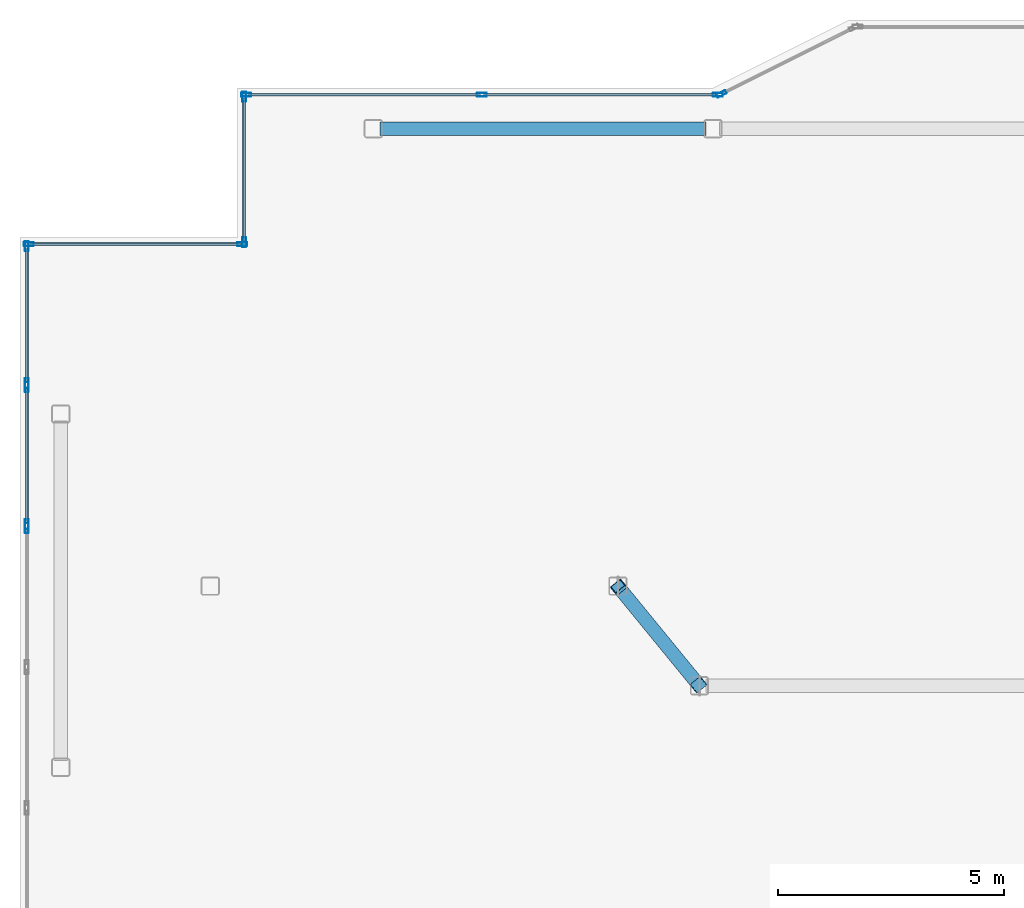
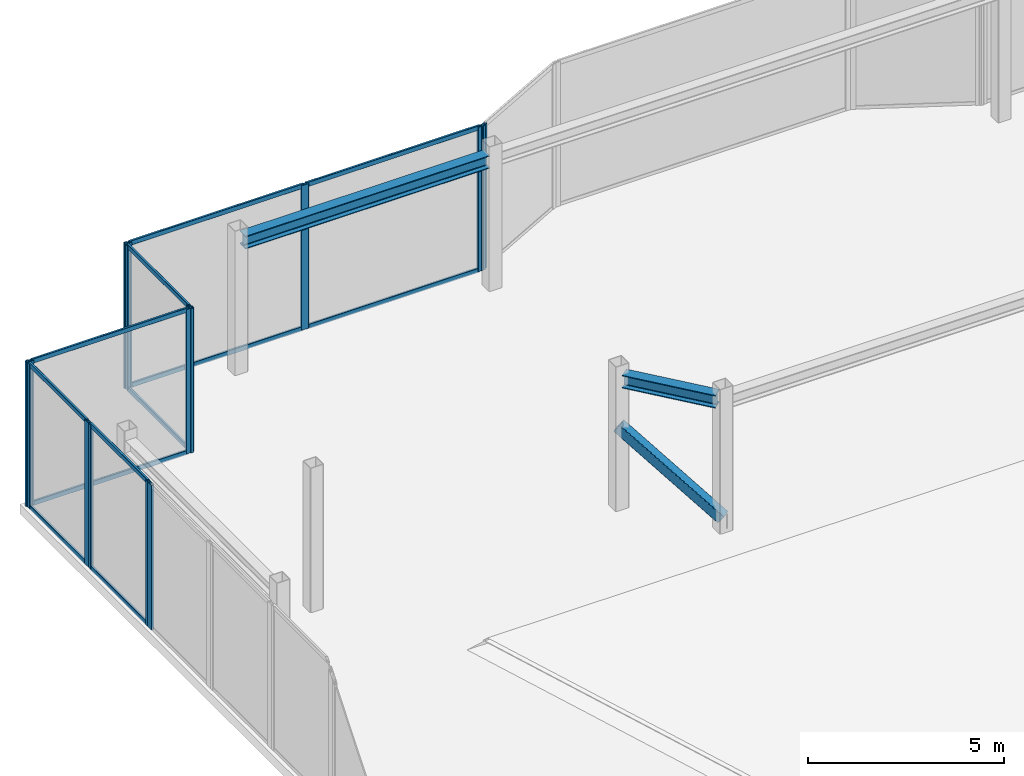
# One storey, part 4 of 12: 26 members, 2 beams, 7 elements without a shape of their own.
"""IFC4 building model written with IfcOpenShell, lengths in metres."""

from ifc_helpers import new_model, si_unit, direction, frame, origin, origin_2d, place, context, subcontext, project, spatial, hollow_rectangle, i_section, extrude, material, layer, layer_set, material_profile, profile_set, type_object, element, aggregate, save


model = new_model("IFC4")

# Units and contexts
model_context = context("Model", 3, precision=1e-05, world=origin(), true_north=direction((0.0, 1.0)))
body_context = subcontext(model_context, "Body", "Model", "MODEL_VIEW")
ifc_project = project(units=[si_unit("LENGTHUNIT", "METRE"), si_unit("AREAUNIT", "SQUARE_METRE"), si_unit("VOLUMEUNIT", "CUBIC_METRE"), si_unit("PLANEANGLEUNIT", "RADIAN"), si_unit("MASSUNIT", "GRAM", prefix="KILO")], contexts=[model_context])

# Site, building, storey
site_placement = place(None, origin())
site = spatial("IfcSite", under=ifc_project, at=site_placement, CompositionType="ELEMENT")
building_placement = place(site_placement, origin())
building = spatial("IfcBuilding", under=site, at=building_placement, Name="Tarnavaz Court Tower", CompositionType="ELEMENT")
storey_placement = place(building_placement, frame((0.0, 0.0, 299.550048828125)))
storey = spatial("IfcBuildingStorey", under=building, at=storey_placement, Name="C05", CompositionType="ELEMENT", Elevation=299.550048828125)

# Beams
ifc_material_1 = material(Name="Steel S355", Category="steel")
ifc_material_profile_1 = material_profile(ifc_material_1, i_section(OverallWidth=0.300048828125, OverallDepth=0.39990234375, WebThickness=0.013427734375, FlangeThickness=0.02392578125, FilletRadius=0.027099609375, at=origin_2d()), Name="HEB 400")
ifc_profile_set_1 = profile_set([ifc_material_profile_1], Name="Steel S355")
beam_type = type_object("IfcBeamType", Name="BM-G-HEB400", PredefinedType="USERDEFINED", material=ifc_profile_set_1)
beam_1_placement = place(storey_placement, frame((-9.5048828125, 9.8837890625, 4.0), z_axis=(0.633206414362, -0.773982969329, 0.0), x_axis=(0.773982969329, 0.633206414362, 0.0)))
element("IfcBeam", 1, at=beam_1_placement, inside=storey, type_object=beam_type, Name="C05 Beam CRG-CW-NI-IW-NW", ObjectType="GIRDER", PredefinedType="USERDEFINED", context=body_context, shape_type="SweptSolid", body=[
    extrude(i_section(OverallWidth=0.300048828125, OverallDepth=0.39990234375, WebThickness=0.013427734375, FlangeThickness=0.02392578125, FilletRadius=0.027099609375, at=origin_2d()), origin(), (0.0, 0.0, 1.0), 2.54248046875),
])
beam_2_placement = place(storey_placement, frame((-14.85009765625, 20.10009765625, 4.0), z_axis=(1.0, 0.0, 0.0), x_axis=(0.0, 1.0, 0.0)))
element("IfcBeam", 2, at=beam_2_placement, inside=storey, type_object=beam_type, Name="C05 Beam CRG-PN-1-PN-2", ObjectType="GIRDER", PredefinedType="USERDEFINED", context=body_context, shape_type="SweptSolid", body=[
    extrude(i_section(OverallWidth=0.300048828125, OverallDepth=0.39990234375, WebThickness=0.013427734375, FlangeThickness=0.02392578125, FilletRadius=0.027099609375, at=origin_2d()), origin(), (0.0, 0.0, 1.0), 7.2001953125),
])

# Curtain wall, members
ifc_material_2 = material(Name="Anodised Aluminium 6063-T6 and Solar Low-E Glazing", Category="aluminium")
ifc_layer = layer(ifc_material_2, 0.2099609375)
ifc_layer_set = layer_set([ifc_layer], Name="Anodised Aluminium 6063-T6 and Solar Low-E Glazing")
curtain_wall_type = type_object("IfcCurtainWallType", Name="CW-SYS-06", PredefinedType="NOTDEFINED", material=ifc_layer_set)
curtain_wall_1_placement = place(storey_placement, origin())
curtain_wall_1 = element("IfcCurtainWall", 3, at=curtain_wall_1_placement, inside=storey, type_object=curtain_wall_type, Name="C05 Slanted Crown Terracotta Curtain Wall 1", PredefinedType="NOTDEFINED")
ifc_material_3 = material(Name="Anodised Aluminium 6063-T6", Category="aluminium")
ifc_material_profile_2 = material_profile(ifc_material_3, hollow_rectangle(XDim=0.0849609375, YDim=0.219970703125, WallThickness=0.006103515625, InnerFilletRadius=0.006103515625, OuterFilletRadius=0.011962890625, at=origin_2d()), Name="ALU RHS 220X85X6")
ifc_profile_set_2 = profile_set([ifc_material_profile_2], Name="Anodised Aluminium 6063-T6")
member_type_1 = type_object("IfcMemberType", Name="CW-MUL-220", PredefinedType="MULLION", material=ifc_profile_set_2)
member_1_placement = place(storey_placement, frame((-22.607421875, 17.550048828125, 0.0), z_axis=(0.0, 0.0, 1.0), x_axis=(0.0, 1.0, 0.0)))
member_1 = element("IfcMember", 4, at=member_1_placement, type_object=member_type_1, Name="CW mullion 1", PredefinedType="MULLION", context=body_context, shape_type="SweptSolid", body=[
    extrude(hollow_rectangle(XDim=0.0849609375, YDim=0.219970703125, WallThickness=0.006103515625, InnerFilletRadius=0.006103515625, OuterFilletRadius=0.011962890625, at=origin_2d()), origin(), (0.0, 0.0, 1.0), 4.5),
])
member_2_placement = place(storey_placement, frame((-17.892578125, 17.550048828125, 0.0), z_axis=(0.0, 0.0, 1.0), x_axis=(0.0, 1.0, 0.0)))
member_2 = element("IfcMember", 5, at=member_2_placement, type_object=member_type_1, Name="CW mullion 2", PredefinedType="MULLION", context=body_context, shape_type="SweptSolid", body=[
    extrude(hollow_rectangle(XDim=0.0849609375, YDim=0.219970703125, WallThickness=0.006103515625, InnerFilletRadius=0.006103515625, OuterFilletRadius=0.011962890625, at=origin_2d()), origin(), (0.0, 0.0, 1.0), 4.5),
])

curtain_wall_2_placement = place(storey_placement, origin())
curtain_wall_2 = element("IfcCurtainWall", 6, at=curtain_wall_2_placement, inside=storey, type_object=curtain_wall_type, Name="C05 Slanted Crown Terracotta Curtain Wall 2", PredefinedType="NOTDEFINED")
member_3_placement = place(storey_placement, frame((-17.85009765625, 17.592529296875, 0.0), z_axis=(0.0, 0.0, 1.0), x_axis=(-1.0, 0.0, 0.0)))
member_3 = element("IfcMember", 7, at=member_3_placement, type_object=member_type_1, Name="CW mullion 1", PredefinedType="MULLION", context=body_context, shape_type="SweptSolid", body=[
    extrude(hollow_rectangle(XDim=0.0849609375, YDim=0.219970703125, WallThickness=0.006103515625, InnerFilletRadius=0.006103515625, OuterFilletRadius=0.011962890625, at=origin_2d()), origin(), (0.0, 0.0, 1.0), 4.5),
])
member_4_placement = place(storey_placement, frame((-17.85009765625, 20.8076171875, 0.0), z_axis=(0.0, 0.0, 1.0), x_axis=(-1.0, 0.0, 0.0)))
member_4 = element("IfcMember", 8, at=member_4_placement, type_object=member_type_1, Name="CW mullion 2", PredefinedType="MULLION", context=body_context, shape_type="SweptSolid", body=[
    extrude(hollow_rectangle(XDim=0.0849609375, YDim=0.219970703125, WallThickness=0.006103515625, InnerFilletRadius=0.006103515625, OuterFilletRadius=0.011962890625, at=origin_2d()), origin(), (0.0, 0.0, 1.0), 4.5),
])

curtain_wall_3_placement = place(storey_placement, origin())
curtain_wall_3 = element("IfcCurtainWall", 9, at=curtain_wall_3_placement, inside=storey, type_object=curtain_wall_type, Name="C05 Slanted Crown Terracotta Curtain Wall 3", PredefinedType="NOTDEFINED")
member_5_placement = place(storey_placement, frame((-17.8076171875, 20.85009765625, 0.0), z_axis=(0.0, 0.0, 1.0), x_axis=(0.0, 1.0, 0.0)))
member_5 = element("IfcMember", 10, at=member_5_placement, type_object=member_type_1, Name="CW mullion 1", PredefinedType="MULLION", context=body_context, shape_type="SweptSolid", body=[
    extrude(hollow_rectangle(XDim=0.0849609375, YDim=0.219970703125, WallThickness=0.006103515625, InnerFilletRadius=0.006103515625, OuterFilletRadius=0.011962890625, at=origin_2d()), origin(), (0.0, 0.0, 1.0), 4.5),
])
member_6_placement = place(storey_placement, frame((-12.60009765625, 20.85009765625, 0.0), z_axis=(0.0, 0.0, 1.0), x_axis=(0.0, 1.0, 0.0)))
member_6 = element("IfcMember", 11, at=member_6_placement, type_object=member_type_1, Name="CW mullion 2", PredefinedType="MULLION", context=body_context, shape_type="SweptSolid", body=[
    extrude(hollow_rectangle(XDim=0.0849609375, YDim=0.219970703125, WallThickness=0.006103515625, InnerFilletRadius=0.006103515625, OuterFilletRadius=0.011962890625, at=origin_2d()), origin(), (0.0, 0.0, 1.0), 4.5),
])
member_7_placement = place(storey_placement, frame((-7.392578125, 20.85009765625, 0.0), z_axis=(0.0, 0.0, 1.0), x_axis=(0.0, 1.0, 0.0)))
member_7 = element("IfcMember", 12, at=member_7_placement, type_object=member_type_1, Name="CW mullion 3", PredefinedType="MULLION", context=body_context, shape_type="SweptSolid", body=[
    extrude(hollow_rectangle(XDim=0.0849609375, YDim=0.219970703125, WallThickness=0.006103515625, InnerFilletRadius=0.006103515625, OuterFilletRadius=0.011962890625, at=origin_2d()), origin(), (0.0, 0.0, 1.0), 4.5),
])

# Curtain wall, member
curtain_wall_4_placement = place(storey_placement, origin())
curtain_wall_4 = element("IfcCurtainWall", 13, at=curtain_wall_4_placement, inside=storey, type_object=curtain_wall_type, Name="C05 Slanted Crown Terracotta Curtain Wall 4", PredefinedType="NOTDEFINED")
member_8_placement = place(storey_placement, frame((-7.31201171875, 20.868896484375, 0.0), z_axis=(0.0, 0.0, 1.0), x_axis=(-0.447213595499, 0.894427191001, 0.0)))
member_8 = element("IfcMember", 14, at=member_8_placement, type_object=member_type_1, Name="CW mullion 1", PredefinedType="MULLION", context=body_context, shape_type="SweptSolid", body=[
    extrude(hollow_rectangle(XDim=0.0849609375, YDim=0.219970703125, WallThickness=0.006103515625, InnerFilletRadius=0.006103515625, OuterFilletRadius=0.011962890625, at=origin_2d()), origin(), (0.0, 0.0, 1.0), 4.5),
])
aggregate(curtain_wall_4, [member_8])

curtain_wall_5_placement = place(storey_placement, origin())
curtain_wall_5 = element("IfcCurtainWall", 15, at=curtain_wall_5_placement, inside=storey, type_object=curtain_wall_type, Name="C05 Slanted Crown Terracotta Curtain Wall 23", PredefinedType="NOTDEFINED")
member_9_placement = place(storey_placement, frame((-22.64990234375, 11.282470703125, 0.0), z_axis=(0.0, 0.0, 1.0), x_axis=(-1.0, 0.0, 0.0)))
member_9 = element("IfcMember", 16, at=member_9_placement, type_object=member_type_1, Name="CW mullion 2", PredefinedType="MULLION", context=body_context, shape_type="SweptSolid", body=[
    extrude(hollow_rectangle(XDim=0.0849609375, YDim=0.219970703125, WallThickness=0.006103515625, InnerFilletRadius=0.006103515625, OuterFilletRadius=0.011962890625, at=origin_2d()), origin(), (0.0, 0.0, 1.0), 4.5),
])
aggregate(curtain_wall_5, [member_9])

# Curtain wall, members
curtain_wall_6_placement = place(storey_placement, origin())
curtain_wall_6 = element("IfcCurtainWall", 17, at=curtain_wall_6_placement, inside=storey, type_object=curtain_wall_type, Name="C05 Slanted Crown Terracotta Curtain Wall 24", PredefinedType="NOTDEFINED")
member_10_placement = place(storey_placement, frame((-22.64990234375, 11.367431640625, 0.0), z_axis=(0.0, 0.0, 1.0), x_axis=(-1.0, 0.0, 0.0)))
member_10 = element("IfcMember", 18, at=member_10_placement, type_object=member_type_1, Name="CW mullion 1", PredefinedType="MULLION", context=body_context, shape_type="SweptSolid", body=[
    extrude(hollow_rectangle(XDim=0.0849609375, YDim=0.219970703125, WallThickness=0.006103515625, InnerFilletRadius=0.006103515625, OuterFilletRadius=0.011962890625, at=origin_2d()), origin(), (0.0, 0.0, 1.0), 4.5),
])
member_11_placement = place(storey_placement, frame((-22.64990234375, 14.39501953125, 0.0), z_axis=(0.0, 0.0, 1.0), x_axis=(-1.0, 0.0, 0.0)))
member_11 = element("IfcMember", 19, at=member_11_placement, type_object=member_type_1, Name="CW mullion 2", PredefinedType="MULLION", context=body_context, shape_type="SweptSolid", body=[
    extrude(hollow_rectangle(XDim=0.0849609375, YDim=0.219970703125, WallThickness=0.006103515625, InnerFilletRadius=0.006103515625, OuterFilletRadius=0.011962890625, at=origin_2d()), origin(), (0.0, 0.0, 1.0), 4.5),
])

curtain_wall_7_placement = place(storey_placement, origin())
curtain_wall_7 = element("IfcCurtainWall", 20, at=curtain_wall_7_placement, inside=storey, type_object=curtain_wall_type, Name="C05 Slanted Crown Terracotta Curtain Wall 25", PredefinedType="NOTDEFINED")
member_12_placement = place(storey_placement, frame((-22.64990234375, 14.47998046875, 0.0), z_axis=(0.0, 0.0, 1.0), x_axis=(-1.0, 0.0, 0.0)))
member_12 = element("IfcMember", 21, at=member_12_placement, type_object=member_type_1, Name="CW mullion 1", PredefinedType="MULLION", context=body_context, shape_type="SweptSolid", body=[
    extrude(hollow_rectangle(XDim=0.0849609375, YDim=0.219970703125, WallThickness=0.006103515625, InnerFilletRadius=0.006103515625, OuterFilletRadius=0.011962890625, at=origin_2d()), origin(), (0.0, 0.0, 1.0), 4.5),
])
member_13_placement = place(storey_placement, frame((-22.64990234375, 17.507568359375, 0.0), z_axis=(0.0, 0.0, 1.0), x_axis=(-1.0, 0.0, 0.0)))
member_13 = element("IfcMember", 22, at=member_13_placement, type_object=member_type_1, Name="CW mullion 2", PredefinedType="MULLION", context=body_context, shape_type="SweptSolid", body=[
    extrude(hollow_rectangle(XDim=0.0849609375, YDim=0.219970703125, WallThickness=0.006103515625, InnerFilletRadius=0.006103515625, OuterFilletRadius=0.011962890625, at=origin_2d()), origin(), (0.0, 0.0, 1.0), 4.5),
])

# Member
ifc_material_profile_3 = material_profile(ifc_material_3, hollow_rectangle(XDim=0.06494140625, YDim=0.139892578125, WallThickness=0.00390625, InnerFilletRadius=0.00390625, OuterFilletRadius=0.008056640625, at=origin_2d()), Name="ALU RHS 140X65X4")
ifc_profile_set_3 = profile_set([ifc_material_profile_3], Name="Anodised Aluminium 6063-T6")
member_type_2 = type_object("IfcMemberType", Name="CW-TRN-140", PredefinedType="USERDEFINED", material=ifc_profile_set_3)
member_14_placement = place(storey_placement, frame((-22.56494140625, 17.550048828125, 0.032470703125), z_axis=(1.0, 0.0, 0.0), x_axis=(0.0, 1.0, 0.0)))
member_14 = element("IfcMember", 23, at=member_14_placement, type_object=member_type_2, Name="CW transom 1.1", ObjectType="TRANSOM", PredefinedType="USERDEFINED", context=body_context, shape_type="SweptSolid", body=[
    extrude(hollow_rectangle(XDim=0.06494140625, YDim=0.139892578125, WallThickness=0.00390625, InnerFilletRadius=0.00390625, OuterFilletRadius=0.008056640625, at=origin_2d()), origin(), (0.0, 0.0, 1.0), 4.6298828125),
])

member_15_placement = place(storey_placement, frame((-22.56494140625, 17.550048828125, 4.467529296875), z_axis=(1.0, 0.0, 0.0), x_axis=(0.0, 1.0, 0.0)))
member_15 = element("IfcMember", 24, at=member_15_placement, type_object=member_type_2, Name="CW transom 1.2", ObjectType="TRANSOM", PredefinedType="USERDEFINED", context=body_context, shape_type="SweptSolid", body=[
    extrude(hollow_rectangle(XDim=0.06494140625, YDim=0.139892578125, WallThickness=0.00390625, InnerFilletRadius=0.00390625, OuterFilletRadius=0.008056640625, at=origin_2d()), origin(), (0.0, 0.0, 1.0), 4.6298828125),
])

aggregate(curtain_wall_1, [member_1, member_2, member_14, member_15])

member_16_placement = place(storey_placement, frame((-17.85009765625, 17.635009765625, 0.032470703125), z_axis=(0.0, 1.0, 0.0), x_axis=(-1.0, 0.0, 0.0)))
member_16 = element("IfcMember", 25, at=member_16_placement, type_object=member_type_2, Name="CW transom 1.1", ObjectType="TRANSOM", PredefinedType="USERDEFINED", context=body_context, shape_type="SweptSolid", body=[
    extrude(hollow_rectangle(XDim=0.06494140625, YDim=0.139892578125, WallThickness=0.00390625, InnerFilletRadius=0.00390625, OuterFilletRadius=0.008056640625, at=origin_2d()), origin(), (0.0, 0.0, 1.0), 3.1298828125),
])

member_17_placement = place(storey_placement, frame((-17.85009765625, 17.635009765625, 4.467529296875), z_axis=(0.0, 1.0, 0.0), x_axis=(-1.0, 0.0, 0.0)))
member_17 = element("IfcMember", 26, at=member_17_placement, type_object=member_type_2, Name="CW transom 1.2", ObjectType="TRANSOM", PredefinedType="USERDEFINED", context=body_context, shape_type="SweptSolid", body=[
    extrude(hollow_rectangle(XDim=0.06494140625, YDim=0.139892578125, WallThickness=0.00390625, InnerFilletRadius=0.00390625, OuterFilletRadius=0.008056640625, at=origin_2d()), origin(), (0.0, 0.0, 1.0), 3.1298828125),
])

aggregate(curtain_wall_2, [member_3, member_4, member_16, member_17])

member_18_placement = place(storey_placement, frame((-17.764892578125, 20.85009765625, 0.032470703125), z_axis=(1.0, 0.0, 0.0), x_axis=(0.0, 1.0, 0.0)))
member_18 = element("IfcMember", 27, at=member_18_placement, type_object=member_type_2, Name="CW transom 1.1", ObjectType="TRANSOM", PredefinedType="USERDEFINED", context=body_context, shape_type="SweptSolid", body=[
    extrude(hollow_rectangle(XDim=0.06494140625, YDim=0.139892578125, WallThickness=0.00390625, InnerFilletRadius=0.00390625, OuterFilletRadius=0.008056640625, at=origin_2d()), origin(), (0.0, 0.0, 1.0), 5.122314453125),
])

member_19_placement = place(storey_placement, frame((-17.764892578125, 20.85009765625, 4.467529296875), z_axis=(1.0, 0.0, 0.0), x_axis=(0.0, 1.0, 0.0)))
member_19 = element("IfcMember", 28, at=member_19_placement, type_object=member_type_2, Name="CW transom 1.2", ObjectType="TRANSOM", PredefinedType="USERDEFINED", context=body_context, shape_type="SweptSolid", body=[
    extrude(hollow_rectangle(XDim=0.06494140625, YDim=0.139892578125, WallThickness=0.00390625, InnerFilletRadius=0.00390625, OuterFilletRadius=0.008056640625, at=origin_2d()), origin(), (0.0, 0.0, 1.0), 5.122314453125),
])

member_20_placement = place(storey_placement, frame((-12.5576171875, 20.85009765625, 0.032470703125), z_axis=(1.0, 0.0, 0.0), x_axis=(0.0, 1.0, 0.0)))
member_20 = element("IfcMember", 29, at=member_20_placement, type_object=member_type_2, Name="CW transom 2.1", ObjectType="TRANSOM", PredefinedType="USERDEFINED", context=body_context, shape_type="SweptSolid", body=[
    extrude(hollow_rectangle(XDim=0.06494140625, YDim=0.139892578125, WallThickness=0.00390625, InnerFilletRadius=0.00390625, OuterFilletRadius=0.008056640625, at=origin_2d()), origin(), (0.0, 0.0, 1.0), 5.12255859375),
])

member_21_placement = place(storey_placement, frame((-12.5576171875, 20.85009765625, 4.467529296875), z_axis=(1.0, 0.0, 0.0), x_axis=(0.0, 1.0, 0.0)))
member_21 = element("IfcMember", 30, at=member_21_placement, type_object=member_type_2, Name="CW transom 2.2", ObjectType="TRANSOM", PredefinedType="USERDEFINED", context=body_context, shape_type="SweptSolid", body=[
    extrude(hollow_rectangle(XDim=0.06494140625, YDim=0.139892578125, WallThickness=0.00390625, InnerFilletRadius=0.00390625, OuterFilletRadius=0.008056640625, at=origin_2d()), origin(), (0.0, 0.0, 1.0), 5.12255859375),
])

aggregate(curtain_wall_3, [member_5, member_6, member_7, member_18, member_19, member_20, member_21])

member_22_placement = place(storey_placement, frame((-22.64990234375, 11.409912109375, 0.032470703125), z_axis=(0.0, 1.0, 0.0), x_axis=(-1.0, 0.0, 0.0)))
member_22 = element("IfcMember", 31, at=member_22_placement, type_object=member_type_2, Name="CW transom 1.1", ObjectType="TRANSOM", PredefinedType="USERDEFINED", context=body_context, shape_type="SweptSolid", body=[
    extrude(hollow_rectangle(XDim=0.06494140625, YDim=0.139892578125, WallThickness=0.00390625, InnerFilletRadius=0.00390625, OuterFilletRadius=0.008056640625, at=origin_2d()), origin(), (0.0, 0.0, 1.0), 2.942626953125),
])

member_23_placement = place(storey_placement, frame((-22.64990234375, 11.409912109375, 4.467529296875), z_axis=(0.0, 1.0, 0.0), x_axis=(-1.0, 0.0, 0.0)))
member_23 = element("IfcMember", 32, at=member_23_placement, type_object=member_type_2, Name="CW transom 1.2", ObjectType="TRANSOM", PredefinedType="USERDEFINED", context=body_context, shape_type="SweptSolid", body=[
    extrude(hollow_rectangle(XDim=0.06494140625, YDim=0.139892578125, WallThickness=0.00390625, InnerFilletRadius=0.00390625, OuterFilletRadius=0.008056640625, at=origin_2d()), origin(), (0.0, 0.0, 1.0), 2.942626953125),
])

aggregate(curtain_wall_6, [member_10, member_11, member_22, member_23])

member_24_placement = place(storey_placement, frame((-22.64990234375, 14.5224609375, 0.032470703125), z_axis=(0.0, 1.0, 0.0), x_axis=(-1.0, 0.0, 0.0)))
member_24 = element("IfcMember", 33, at=member_24_placement, type_object=member_type_2, Name="CW transom 1.1", ObjectType="TRANSOM", PredefinedType="USERDEFINED", context=body_context, shape_type="SweptSolid", body=[
    extrude(hollow_rectangle(XDim=0.06494140625, YDim=0.139892578125, WallThickness=0.00390625, InnerFilletRadius=0.00390625, OuterFilletRadius=0.008056640625, at=origin_2d()), origin(), (0.0, 0.0, 1.0), 2.942626953125),
])

member_25_placement = place(storey_placement, frame((-22.64990234375, 14.5224609375, 4.467529296875), z_axis=(0.0, 1.0, 0.0), x_axis=(-1.0, 0.0, 0.0)))
member_25 = element("IfcMember", 34, at=member_25_placement, type_object=member_type_2, Name="CW transom 1.2", ObjectType="TRANSOM", PredefinedType="USERDEFINED", context=body_context, shape_type="SweptSolid", body=[
    extrude(hollow_rectangle(XDim=0.06494140625, YDim=0.139892578125, WallThickness=0.00390625, InnerFilletRadius=0.00390625, OuterFilletRadius=0.008056640625, at=origin_2d()), origin(), (0.0, 0.0, 1.0), 2.942626953125),
])

aggregate(curtain_wall_7, [member_12, member_13, member_24, member_25])

ifc_material_profile_4 = material_profile(ifc_material_1, hollow_rectangle(XDim=0.300048828125, YDim=0.300048828125, WallThickness=0.01611328125, InnerFilletRadius=0.01611328125, OuterFilletRadius=0.031982421875, at=origin_2d()), Name="SHS 300X300X16")
ifc_profile_set_4 = profile_set([ifc_material_profile_4], Name="Steel S355")
member_type_3 = type_object("IfcMemberType", Name="MB-CR-SHS200", PredefinedType="USERDEFINED", material=ifc_profile_set_4)
member_26_placement = place(storey_placement, frame((-7.800048828125, 7.800048828125, 0.349853515625), z_axis=(-0.505044427904, 0.617246078916, 0.603272246922), x_axis=(-0.773941992102, -0.633256498476, 0.0)))
element("IfcMember", 35, at=member_26_placement, inside=storey, type_object=member_type_3, Name="C05 Crown Frame W Core Brace Strut", ObjectType="CROWN FRAME", PredefinedType="USERDEFINED", context=body_context, shape_type="SweptSolid", body=[
    extrude(hollow_rectangle(XDim=0.300048828125, YDim=0.300048828125, WallThickness=0.01611328125, InnerFilletRadius=0.01611328125, OuterFilletRadius=0.031982421875, at=origin_2d()), origin(), (0.0, 0.0, 1.0), 3.564208984375),
])

save(model, "model.ifc")
